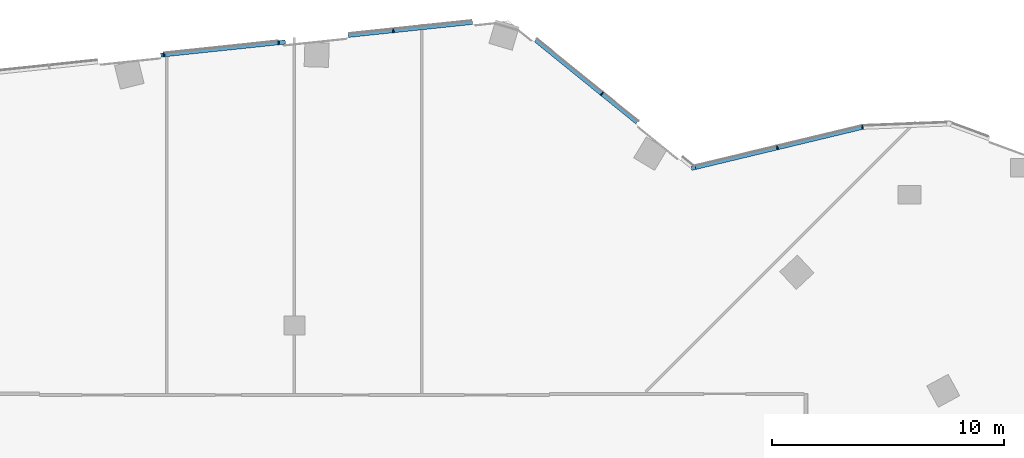
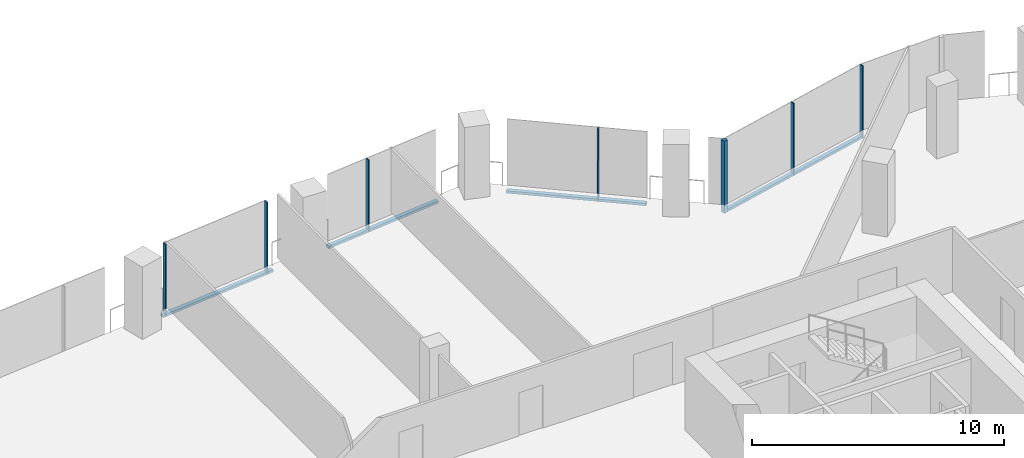
# One storey, part 8 of 24: 11 members, 4 elements without a shape of their own.
"""IFC4 building model written with IfcOpenShell, lengths in metres."""

from ifc_helpers import new_model, si_unit, direction, frame, origin, origin_2d, place, context, subcontext, project, spatial, rectangle, extrude, material, material_profile, profile_set, type_object, element, aggregate, save


model = new_model("IFC4")

# Units and contexts
model_context = context("Model", 3, precision=1e-05, world=origin(), true_north=direction((0.0, 1.0)))
body_context = subcontext(model_context, "Body", "Model", "MODEL_VIEW")
ifc_project = project(units=[si_unit("LENGTHUNIT", "METRE"), si_unit("AREAUNIT", "SQUARE_METRE"), si_unit("VOLUMEUNIT", "CUBIC_METRE"), si_unit("PLANEANGLEUNIT", "RADIAN"), si_unit("MASSUNIT", "GRAM", prefix="KILO")], contexts=[model_context])

# Site, building, storey
site_placement = place(None, origin())
site = spatial("IfcSite", under=ifc_project, at=site_placement, CompositionType="ELEMENT")
building_placement = place(site_placement, origin())
building = spatial("IfcBuilding", under=site, at=building_placement, Name="Orlundy Tower", CompositionType="ELEMENT")
storey_placement = place(building_placement, frame((0.0, 0.0, 210.5)))
storey = spatial("IfcBuildingStorey", under=building, at=storey_placement, Name="L55", CompositionType="ELEMENT", Elevation=210.5)

# Curtain wall, member
ifc_material_1 = material(Name="Aluminium bronze anodised", Category="aluminium")
curtain_wall_type = type_object("IfcCurtainWallType", Name="CW1 wall", PredefinedType="NOTDEFINED", material=ifc_material_1)
curtain_wall_1_placement = place(storey_placement, origin())
curtain_wall_1 = element("IfcCurtainWall", 1, at=curtain_wall_1_placement, inside=storey, type_object=curtain_wall_type, Name="CW1 run 06", PredefinedType="NOTDEFINED")
ifc_material_2 = material(Name="Aluminium bronze anodised", Category="aluminium")
ifc_material_profile_1 = material_profile(ifc_material_2, rectangle(XDim=0.179931640625, YDim=0.179931640625, at=origin_2d()), Name="CW1 corner post 180x180")
ifc_profile_set_1 = profile_set([ifc_material_profile_1], Name="Aluminium bronze anodised")
member_type_1 = type_object("IfcMemberType", Name="CW1 corner post 180x180", PredefinedType="MULLION", material=ifc_profile_set_1)
member_1_placement = place(storey_placement, frame((17.2001953125, 24.789794921875, -0.39990234375), z_axis=(0.0, 0.0, 1.0), x_axis=(-0.233528608579, 0.972349931339, 0.0)))
member_1 = element("IfcMember", 2, at=member_1_placement, type_object=member_type_1, Name="CW1 mullion 26", PredefinedType="MULLION", context=body_context, shape_type="SweptSolid", body=[
    extrude(rectangle(XDim=0.179931640625, YDim=0.179931640625, at=origin_2d()), origin(), (0.0, 0.0, 1.0), 3.5),
])

# Curtain wall, members
curtain_wall_2_placement = place(storey_placement, origin())
curtain_wall_2 = element("IfcCurtainWall", 3, at=curtain_wall_2_placement, inside=storey, type_object=curtain_wall_type, Name="CW1 run 04", PredefinedType="NOTDEFINED")
ifc_material_3 = material(Name="Aluminium bronze anodised", Category="aluminium")
ifc_material_profile_2 = material_profile(ifc_material_3, rectangle(XDim=0.179931640625, YDim=0.050048828125, at=origin_2d()), Name="CW1 mullion 50x180")
ifc_profile_set_2 = profile_set([ifc_material_profile_2], Name="Aluminium bronze anodised")
member_type_2 = type_object("IfcMemberType", Name="CW1 mullion 50x180", PredefinedType="MULLION", material=ifc_profile_set_2)
member_2_placement = place(storey_placement, frame((-5.616943359375, 29.665771484375, -0.39990234375), z_axis=(0.0, 0.0, 1.0), x_axis=(-0.104538162943, 0.994520875843, 0.0)))
member_2 = element("IfcMember", 4, at=member_2_placement, type_object=member_type_2, Name="CW1 mullion 21", PredefinedType="MULLION", context=body_context, shape_type="SweptSolid", body=[
    extrude(rectangle(XDim=0.179931640625, YDim=0.050048828125, at=origin_2d()), origin(), (0.0, 0.0, 1.0), 3.5),
])
member_3_placement = place(storey_placement, frame((-0.673828125, 30.185302734375, -0.39990234375), z_axis=(0.0, 0.0, 1.0), x_axis=(-0.104538162943, 0.994520875843, 0.0)))
member_3 = element("IfcMember", 5, at=member_3_placement, type_object=member_type_2, Name="CW1 mullion 22", PredefinedType="MULLION", context=body_context, shape_type="SweptSolid", body=[
    extrude(rectangle(XDim=0.179931640625, YDim=0.050048828125, at=origin_2d()), origin(), (0.0, 0.0, 1.0), 3.5),
])
member_4_placement = place(storey_placement, frame((4.269287109375, 30.704833984375, -0.39990234375), z_axis=(0.0, 0.0, 1.0), x_axis=(-0.104538162943, 0.994520875843, 0.0)))
member_4 = element("IfcMember", 6, at=member_4_placement, type_object=member_type_2, Name="CW1 mullion 23", PredefinedType="MULLION", context=body_context, shape_type="SweptSolid", body=[
    extrude(rectangle(XDim=0.179931640625, YDim=0.050048828125, at=origin_2d()), origin(), (0.0, 0.0, 1.0), 3.5),
])

# Curtain wall, member
curtain_wall_3_placement = place(storey_placement, origin())
curtain_wall_3 = element("IfcCurtainWall", 7, at=curtain_wall_3_placement, inside=storey, type_object=curtain_wall_type, Name="CW1 run 05", PredefinedType="NOTDEFINED")
member_5_placement = place(storey_placement, frame((13.256591796875, 27.9833984375, -0.39990234375), z_axis=(0.0, 0.0, 1.0), x_axis=(0.629341524139, 0.777128847743, 0.0)))
member_5 = element("IfcMember", 8, at=member_5_placement, type_object=member_type_2, Name="CW1 mullion 25", PredefinedType="MULLION", context=body_context, shape_type="SweptSolid", body=[
    extrude(rectangle(XDim=0.179931640625, YDim=0.050048828125, at=origin_2d()), origin(), (0.0, 0.0, 1.0), 3.5),
])

# Member
member_6_placement = place(storey_placement, frame((20.819091796875, 25.658935546875, -0.39990234375), z_axis=(0.0, 0.0, 1.0), x_axis=(-0.233528608579, 0.972349931339, 0.0)))
member_6 = element("IfcMember", 9, at=member_6_placement, type_object=member_type_2, Name="CW1 mullion 27", PredefinedType="MULLION", context=body_context, shape_type="SweptSolid", body=[
    extrude(rectangle(XDim=0.179931640625, YDim=0.050048828125, at=origin_2d()), origin(), (0.0, 0.0, 1.0), 3.5),
])

# Curtain wall, member
curtain_wall_4_placement = place(storey_placement, origin())
curtain_wall_4 = element("IfcCurtainWall", 10, at=curtain_wall_4_placement, inside=storey, type_object=curtain_wall_type, Name="CW1 run 07", PredefinedType="NOTDEFINED")
member_7_placement = place(storey_placement, frame((24.489501953125, 26.54052734375, -0.39990234375), z_axis=(0.0, 0.0, 1.0), x_axis=(-0.136983908445, 0.990573272821, 0.0)))
member_7 = element("IfcMember", 11, at=member_7_placement, type_object=member_type_2, Name="CW1 mullion 28", PredefinedType="MULLION", context=body_context, shape_type="SweptSolid", body=[
    extrude(rectangle(XDim=0.179931640625, YDim=0.050048828125, at=origin_2d()), origin(), (0.0, 0.0, 1.0), 3.5),
])
aggregate(curtain_wall_4, [member_7])

# Member
ifc_material_4 = material(Name="Aluminium bronze anodised", Category="aluminium")
ifc_material_profile_3 = material_profile(ifc_material_4, rectangle(XDim=0.179931640625, YDim=0.1201171875, at=origin_2d()), Name="CW1 transom 180x120")
ifc_profile_set_3 = profile_set([ifc_material_profile_3], Name="Aluminium bronze anodised")
member_type_3 = type_object("IfcMemberType", Name="CW1 transom 180x120", PredefinedType="USERDEFINED", material=ifc_profile_set_3)
member_8_placement = place(storey_placement, frame((-5.75439453125, 29.6513671875, -0.340087890625), z_axis=(0.994520562634, 0.104541142608, 0.0), x_axis=(-0.104541142608, 0.994520562634, 0.0)))
member_8 = element("IfcMember", 12, at=member_8_placement, type_object=member_type_3, Name="CW1 transom", ObjectType="TRANSOM", PredefinedType="USERDEFINED", context=body_context, shape_type="SweptSolid", body=[
    extrude(rectangle(XDim=0.179931640625, YDim=0.1201171875, at=origin_2d()), origin(), (0.0, 0.0, 1.0), 5.39697265625),
])

member_9_placement = place(storey_placement, frame((2.319580078125, 30.5, -0.340087890625), z_axis=(0.99452208857, 0.104526625058, 0.0), x_axis=(-0.104526625058, 0.99452208857, 0.0)))
member_9 = element("IfcMember", 13, at=member_9_placement, type_object=member_type_3, Name="CW1 transom", ObjectType="TRANSOM", PredefinedType="USERDEFINED", context=body_context, shape_type="SweptSolid", body=[
    extrude(rectangle(XDim=0.179931640625, YDim=0.1201171875, at=origin_2d()), origin(), (0.0, 0.0, 1.0), 5.3837890625),
])

aggregate(curtain_wall_2, [member_2, member_3, member_4, member_8, member_9])

member_10_placement = place(storey_placement, frame((10.402099609375, 30.295166015625, -0.340087890625), z_axis=(0.777125628422, -0.629345499428, 0.0), x_axis=(0.629345499428, 0.777125628422, 0.0)))
member_10 = element("IfcMember", 14, at=member_10_placement, type_object=member_type_3, Name="CW1 transom", ObjectType="TRANSOM", PredefinedType="USERDEFINED", context=body_context, shape_type="SweptSolid", body=[
    extrude(rectangle(XDim=0.179931640625, YDim=0.1201171875, at=origin_2d()), origin(), (0.0, 0.0, 1.0), 5.626953125),
])

aggregate(curtain_wall_3, [member_5, member_10])

member_11_placement = place(storey_placement, frame((17.28759765625, 24.810791015625, -0.340087890625), z_axis=(0.972347959414, 0.233536818988, 0.0), x_axis=(-0.233536818988, 0.972347959414, 0.0)))
member_11 = element("IfcMember", 15, at=member_11_placement, type_object=member_type_3, Name="CW1 transom", ObjectType="TRANSOM", PredefinedType="USERDEFINED", context=body_context, shape_type="SweptSolid", body=[
    extrude(rectangle(XDim=0.179931640625, YDim=0.1201171875, at=origin_2d()), origin(), (0.0, 0.0, 1.0), 7.381591796875),
])

aggregate(curtain_wall_1, [member_1, member_6, member_11])

save(model, "model.ifc")
